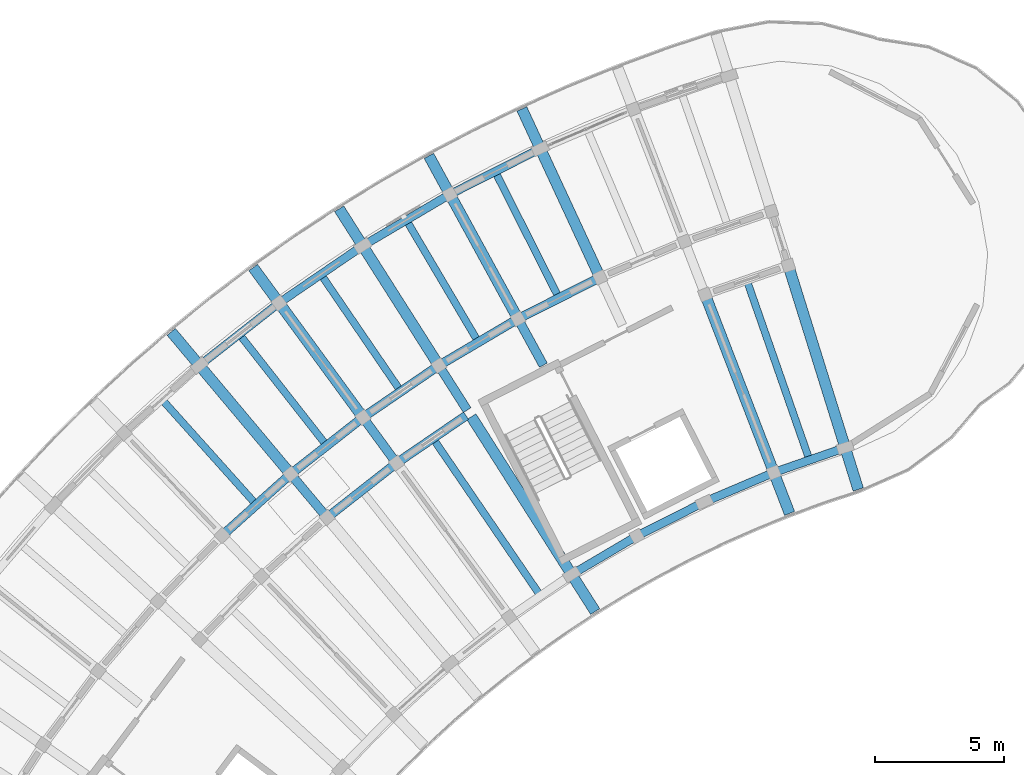
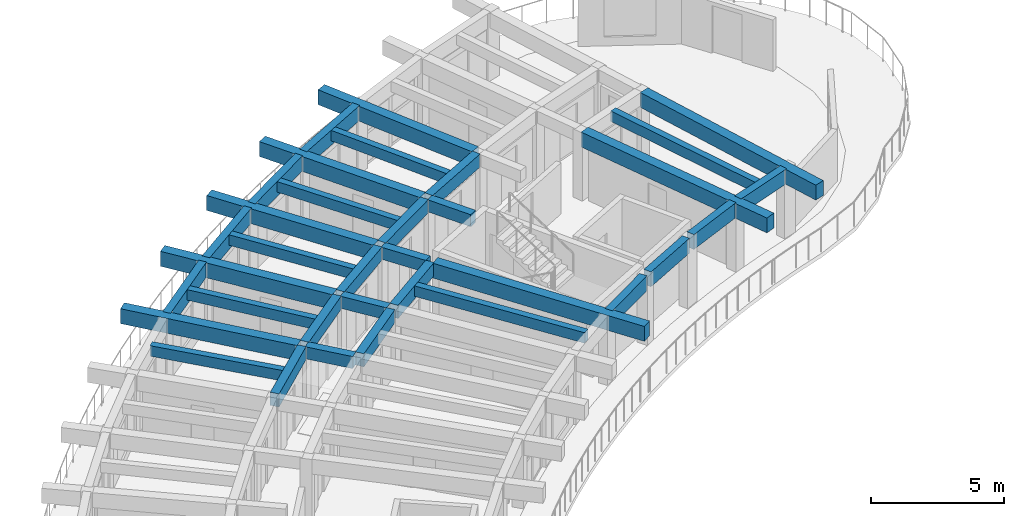
# One storey, part 5 of 19: 34 beams.
"""IFC4 building model written with IfcOpenShell, lengths in metres."""

from ifc_helpers import new_model, si_unit, direction, frame, origin, origin_2d, place, context, subcontext, project, spatial, rectangle, extrude, material, material_profile, profile_set, type_object, element, save


model = new_model("IFC4")

# Units and contexts
model_context = context("Model", 3, precision=1e-05, world=origin(), true_north=direction((0.0, 1.0)))
body_context = subcontext(model_context, "Body", "Model", "MODEL_VIEW")
ifc_project = project(units=[si_unit("LENGTHUNIT", "METRE"), si_unit("AREAUNIT", "SQUARE_METRE"), si_unit("VOLUMEUNIT", "CUBIC_METRE"), si_unit("PLANEANGLEUNIT", "RADIAN"), si_unit("MASSUNIT", "GRAM", prefix="KILO")], contexts=[model_context])

# Site, building, storey
site_placement = place(None, origin())
site = spatial("IfcSite", under=ifc_project, at=site_placement, CompositionType="ELEMENT")
building_placement = place(site_placement, origin())
building = spatial("IfcBuilding", under=site, at=building_placement, Name="Tanwirah Colonnade Gardens", CompositionType="ELEMENT")
storey_placement = place(building_placement, frame((0.0, 0.0, 45.800048828125)))
storey = spatial("IfcBuildingStorey", under=building, at=storey_placement, Name="L13", CompositionType="ELEMENT", Elevation=45.800048828125)

# Beams
ifc_material_1 = material(Name="Precast concrete C40/50", Category="concrete")
ifc_material_profile_1 = material_profile(ifc_material_1, rectangle(XDim=0.35009765625, YDim=0.550048828125, at=origin_2d()), Name="PC-BM 350x550")
ifc_profile_set_1 = profile_set([ifc_material_profile_1], Name="Precast concrete C40/50")
beam_type_1 = type_object("IfcBeamType", Name="BM-PC350A", PredefinedType="BEAM", material=ifc_profile_set_1)
for number, where, z_axis, x_axis, name in (
    (1, (40.054931640625, 105.826171875, 2.844970703125), (-0.479707235792, 0.877428611301, 0.0), (-0.877428611301, -0.479707235792, 0.0), "Block A L13 Corridor Tie Beam 6"),
    (2, (37.10302734375, 104.08349609375, 2.844970703125), (-0.536509579595, 0.843894229749, 0.0), (-0.843894229749, -0.536509579595, 0.0), "Block A L13 Corridor Tie Beam 7"),
):
    element("IfcBeam", number, at=place(storey_placement, frame(where, z_axis=z_axis, x_axis=x_axis)), inside=storey, type_object=beam_type_1, Name=name, PredefinedType="BEAM", context=body_context, shape_type="SweptSolid", body=[
        extrude(rectangle(XDim=0.35009765625, YDim=0.550048828125, at=origin_2d()), origin(), (0.0, 0.0, 1.0), 1.89990234375),
    ])
beam_1_placement = place(storey_placement, frame((34.272216796875, 102.14990234375, 2.844970703125), z_axis=(-0.590895676149, 0.806747977939, 0.0), x_axis=(-0.806747977939, -0.590895676149, 0.0)))
element("IfcBeam", 3, at=beam_1_placement, inside=storey, type_object=beam_type_1, Name="Block A L13 Corridor Tie Beam 8", PredefinedType="BEAM", context=body_context, shape_type="SweptSolid", body=[
    extrude(rectangle(XDim=0.35009765625, YDim=0.550048828125, at=origin_2d()), origin(), (0.0, 0.0, 1.0), 1.900146484375),
])
beam_2_placement = place(storey_placement, frame((31.574951171875, 100.034423828125, 2.844970703125), z_axis=(-0.642797194343, 0.766036400535, 0.0), x_axis=(-0.766036400535, -0.642797194343, 0.0)))
element("IfcBeam", 4, at=beam_2_placement, inside=storey, type_object=beam_type_1, Name="Block A L13 Corridor Tie Beam 9", PredefinedType="BEAM", context=body_context, shape_type="SweptSolid", body=[
    extrude(rectangle(XDim=0.35009765625, YDim=0.550048828125, at=origin_2d()), origin(), (0.0, 0.0, 1.0), 1.89990234375),
])
ifc_material_profile_2 = material_profile(ifc_material_1, rectangle(XDim=0.35009765625, YDim=0.60009765625, at=origin_2d()), Name="PC-BM 350x600")
ifc_profile_set_2 = profile_set([ifc_material_profile_2], Name="Precast concrete C40/50")
beam_type_2 = type_object("IfcBeamType", Name="BM-PC350B", PredefinedType="BEAM", material=ifc_profile_set_2)
for number, where, z_axis, x_axis, name in (
    (5, (42.11865234375, 109.16259765625, 2.820068359375), (-0.89276014323, -0.450532270387, 0.0), (0.450532270387, -0.89276014323, 0.0), "Block A L13 Circumferential Beam 5-R2"),
    (6, (38.9423828125, 107.548583984375, 2.820068359375), (-0.861134978964, -0.508376384193, 0.0), (0.508376384193, -0.861134978964, 0.0), "Block A L13 Circumferential Beam 6-R2"),
):
    element("IfcBeam", number, at=place(storey_placement, frame(where, z_axis=z_axis, x_axis=x_axis)), inside=storey, type_object=beam_type_2, Name=name, PredefinedType="BEAM", context=body_context, shape_type="SweptSolid", body=[
        extrude(rectangle(XDim=0.35009765625, YDim=0.60009765625, at=origin_2d()), origin(), (0.0, 0.0, 1.0), 3.26318359375),
    ])
beam_3_placement = place(storey_placement, frame((37.0595703125, 103.872314453125, 2.820068359375), z_axis=(-0.825758291455, -0.564024152047, 0.0), x_axis=(0.564024152047, -0.825758291455, 0.0)))
element("IfcBeam", 7, at=beam_3_placement, inside=storey, type_object=beam_type_2, Name="Block A L13 Circumferential Beam 7-R1", PredefinedType="BEAM", context=body_context, shape_type="SweptSolid", body=[
    extrude(rectangle(XDim=0.35009765625, YDim=0.60009765625, at=origin_2d()), origin(), (0.0, 0.0, 1.0), 3.118408203125),
])
beam_4_placement = place(storey_placement, frame((35.87939453125, 105.728759765625, 2.820068359375), z_axis=(-0.825782284145, -0.563989024, 0.0), x_axis=(0.563989024, -0.825782284145, 0.0)))
element("IfcBeam", 8, at=beam_4_placement, inside=storey, type_object=beam_type_2, Name="Block A L13 Circumferential Beam 7-R2", PredefinedType="BEAM", context=body_context, shape_type="SweptSolid", body=[
    extrude(rectangle(XDim=0.35009765625, YDim=0.60009765625, at=origin_2d()), origin(), (0.0, 0.0, 1.0), 3.26318359375),
])
beam_5_placement = place(storey_placement, frame((34.242919921875, 101.9365234375, 2.820068359375), z_axis=(-0.78679899272, -0.617209320292, 0.0), x_axis=(0.617209320292, -0.78679899272, 0.0)))
element("IfcBeam", 9, at=beam_5_placement, inside=storey, type_object=beam_type_2, Name="Block A L13 Circumferential Beam 8-R1", PredefinedType="BEAM", context=body_context, shape_type="SweptSolid", body=[
    extrude(rectangle(XDim=0.35009765625, YDim=0.60009765625, at=origin_2d()), origin(), (0.0, 0.0, 1.0), 3.1181640625),
])
for number, where, z_axis, x_axis, name in (
    (10, (32.94287109375, 103.711181640625, 2.820068359375), (-0.786839882256, -0.617157192044, 0.0), (0.617157192044, -0.786839882256, 0.0), "Block A L13 Circumferential Beam 8-R2"),
    (11, (30.145751953125, 101.504638671875, 2.820068359375), (-0.744409136578, -0.667723773262, 0.0), (0.667723773262, -0.744409136578, 0.0), "Block A L13 Circumferential Beam 9-R2"),
):
    element("IfcBeam", number, at=place(storey_placement, frame(where, z_axis=z_axis, x_axis=x_axis)), inside=storey, type_object=beam_type_2, Name=name, PredefinedType="BEAM", context=body_context, shape_type="SweptSolid", body=[
        extrude(rectangle(XDim=0.35009765625, YDim=0.60009765625, at=origin_2d()), origin(), (0.0, 0.0, 1.0), 3.26318359375),
    ])
ifc_material_2 = material(Name="Precast concrete C45/55", Category="concrete")
ifc_material_profile_3 = material_profile(ifc_material_2, rectangle(XDim=0.419921875, YDim=0.679931640625, at=origin_2d()), Name="PC-BM 420x680")
ifc_profile_set_3 = profile_set([ifc_material_profile_3], Name="Precast concrete C45/55")
beam_type_3 = type_object("IfcBeamType", Name="BM-PC420", PredefinedType="BEAM", material=ifc_profile_set_3)
beam_6_placement = place(storey_placement, frame((49.596923828125, 109.55224609375, 2.780029296875), z_axis=(0.29792861283, -0.9545881529, 0.0), x_axis=(0.9545881529, 0.29792861283, 0.0)))
element("IfcBeam", 12, at=beam_6_placement, inside=storey, type_object=beam_type_3, Name="Block A L13 Inner Radial Precast Girder 3", PredefinedType="BEAM", context=body_context, shape_type="SweptSolid", body=[
    extrude(rectangle(XDim=0.419921875, YDim=0.679931640625, at=origin_2d()), origin(), (0.0, 0.0, 1.0), 8.9501953125),
])
beam_7_placement = place(storey_placement, frame((46.37890625, 108.43017578125, 2.780029296875), z_axis=(0.360155980892, -0.932892099563, 0.0), x_axis=(0.932892099563, 0.360155980892, 0.0)))
element("IfcBeam", 13, at=beam_7_placement, inside=storey, type_object=beam_type_3, Name="Block A L13 Inner Radial Precast Girder 4", PredefinedType="BEAM", context=body_context, shape_type="SweptSolid", body=[
    extrude(rectangle(XDim=0.419921875, YDim=0.679931640625, at=origin_2d()), origin(), (0.0, 0.0, 1.0), 8.949951171875),
])
for number, where, z_axis, x_axis, name in (
    (14, (42.189453125, 109.3662109375, 2.780029296875), (-0.420855908645, 0.9071275016, 0.0), (-0.9071275016, -0.420855908645, 0.0), "Block A L13 Outer Radial Precast Girder 5"),
    (15, (38.99951171875, 107.75634765625, 2.780029296875), (-0.479686549155, 0.877439920769, 0.0), (-0.877439920769, -0.479686549155, 0.0), "Block A L13 Outer Radial Precast Girder 6"),
):
    element("IfcBeam", number, at=place(storey_placement, frame(where, z_axis=z_axis, x_axis=x_axis)), inside=storey, type_object=beam_type_3, Name=name, PredefinedType="BEAM", context=body_context, shape_type="SweptSolid", body=[
        extrude(rectangle(XDim=0.419921875, YDim=0.679931640625, at=origin_2d()), origin(), (0.0, 0.0, 1.0), 7.050048828125),
    ])
beam_8_placement = place(storey_placement, frame((37.263916015625, 103.830322265625, 2.780029296875), z_axis=(0.536483588607, -0.843910753075, 0.0), x_axis=(0.843910753075, 0.536483588607, 0.0)))
element("IfcBeam", 16, at=beam_8_placement, inside=storey, type_object=beam_type_3, Name="Block A L13 Inner Radial Precast Girder 7", PredefinedType="BEAM", context=body_context, shape_type="SweptSolid", body=[
    extrude(rectangle(XDim=0.419921875, YDim=0.679931640625, at=origin_2d()), origin(), (0.0, 0.0, 1.0), 8.949951171875),
])
for number, where, z_axis, x_axis, name in (
    (17, (35.922607421875, 105.93994140625, 2.780029296875), (-0.536476584537, 0.8439152056, 0.0), (-0.8439152056, -0.536476584537, 0.0), "Block A L13 Outer Radial Precast Girder 7"),
    (18, (32.97216796875, 103.9248046875, 2.780029296875), (-0.590919194225, 0.806730751798, 0.0), (-0.806730751798, -0.590919194225, 0.0), "Block A L13 Outer Radial Precast Girder 8"),
):
    element("IfcBeam", number, at=place(storey_placement, frame(where, z_axis=z_axis, x_axis=x_axis)), inside=storey, type_object=beam_type_3, Name=name, PredefinedType="BEAM", context=body_context, shape_type="SweptSolid", body=[
        extrude(rectangle(XDim=0.419921875, YDim=0.679931640625, at=origin_2d()), origin(), (0.0, 0.0, 1.0), 7.050048828125),
    ])
beam_9_placement = place(storey_placement, frame((30.160888671875, 101.7197265625, 2.780029296875), z_axis=(-0.642810291951, 0.766025409867, 0.0), x_axis=(-0.766025409867, -0.642810291951, 0.0)))
element("IfcBeam", 19, at=beam_9_placement, inside=storey, type_object=beam_type_3, Name="Block A L13 Outer Radial Precast Girder 9", PredefinedType="BEAM", context=body_context, shape_type="SweptSolid", body=[
    extrude(rectangle(XDim=0.419921875, YDim=0.679931640625, at=origin_2d()), origin(), (0.0, 0.0, 1.0), 7.0498046875),
])
ifc_material_profile_4 = material_profile(ifc_material_1, rectangle(XDim=0.280029296875, YDim=0.47998046875, at=origin_2d()), Name="PC-JST 280x480")
ifc_profile_set_4 = profile_set([ifc_material_profile_4], Name="Precast concrete C40/50")
beam_type_4 = type_object("IfcBeamType", Name="JST-PC280", PredefinedType="JOIST", material=ifc_profile_set_4)
beam_10_placement = place(storey_placement, frame((50.326171875, 102.28515625, 2.8798828125), z_axis=(-0.329250558112, 0.944242590642, 0.0), x_axis=(-0.944242590642, -0.329250558112, 0.0)))
element("IfcBeam", 20, at=beam_10_placement, inside=storey, type_object=beam_type_4, Name="Block A L13 Inner Precast Floor Joist 3", PredefinedType="JOIST", context=body_context, shape_type="SweptSolid", body=[
    extrude(rectangle(XDim=0.280029296875, YDim=0.47998046875, at=origin_2d()), origin(), (0.0, 0.0, 1.0), 7.159912109375),
])
for number, where, z_axis, x_axis, name in (
    (21, (40.5947265625, 108.560791015625, 2.8798828125), (-0.450533699488, 0.892759422031, 0.0), (-0.892759422031, -0.450533699488, 0.0), "Block A L13 Precast Floor Joist 5"),
    (22, (37.46142578125, 106.84765625, 2.8798828125), (-0.508360236823, 0.86114451146, 0.0), (-0.86114451146, -0.508360236823, 0.0), "Block A L13 Precast Floor Joist 6"),
):
    element("IfcBeam", number, at=place(storey_placement, frame(where, z_axis=z_axis, x_axis=x_axis)), inside=storey, type_object=beam_type_4, Name=name, PredefinedType="JOIST", context=body_context, shape_type="SweptSolid", body=[
        extrude(rectangle(XDim=0.280029296875, YDim=0.47998046875, at=origin_2d()), origin(), (0.0, 0.0, 1.0), 5.26025390625),
    ])
beam_11_placement = place(storey_placement, frame((34.44775390625, 104.931884765625, 2.8798828125), z_axis=(-0.563973225998, 0.825793073571, 0.0), x_axis=(-0.825793073571, -0.563973225998, 0.0)))
element("IfcBeam", 23, at=beam_11_placement, inside=storey, type_object=beam_type_4, Name="Block A L13 Precast Floor Joist 7", PredefinedType="JOIST", context=body_context, shape_type="SweptSolid", body=[
    extrude(rectangle(XDim=0.280029296875, YDim=0.47998046875, at=origin_2d()), origin(), (0.0, 0.0, 1.0), 5.260009765625),
])
beam_12_placement = place(storey_placement, frame((39.8623046875, 97.004638671875, 2.8798828125), z_axis=(-0.564021195806, 0.825760310672, 0.0), x_axis=(-0.825760310672, -0.564021195806, 0.0)))
element("IfcBeam", 24, at=beam_12_placement, inside=storey, type_object=beam_type_4, Name="Block A L13 Inner Precast Floor Joist 7", PredefinedType="JOIST", context=body_context, shape_type="SweptSolid", body=[
    extrude(rectangle(XDim=0.280029296875, YDim=0.47998046875, at=origin_2d()), origin(), (0.0, 0.0, 1.0), 7.159912109375),
])
for number, where, z_axis, x_axis, name in (
    (25, (31.56689453125, 102.82177734375, 2.8798828125), (-0.617177687243, 0.786823806433, 0.0), (-0.786823806433, -0.617177687243, 0.0), "Block A L13 Precast Floor Joist 8"),
    (26, (28.831298828125, 100.5263671875, 2.8798828125), (-0.667678987176, 0.744449306591, 0.0), (-0.744449306591, -0.667678987176, 0.0), "Block A L13 Precast Floor Joist 9"),
):
    element("IfcBeam", number, at=place(storey_placement, frame(where, z_axis=z_axis, x_axis=x_axis)), inside=storey, type_object=beam_type_4, Name=name, PredefinedType="JOIST", context=body_context, shape_type="SweptSolid", body=[
        extrude(rectangle(XDim=0.280029296875, YDim=0.47998046875, at=origin_2d()), origin(), (0.0, 0.0, 1.0), 5.260009765625),
    ])
ifc_material_profile_5 = material_profile(ifc_material_2, rectangle(XDim=0.320068359375, YDim=0.679931640625, at=origin_2d()), Name="PC-SP 320x680")
ifc_profile_set_5 = profile_set([ifc_material_profile_5], Name="Precast concrete C45/55")
beam_type_5 = type_object("IfcBeamType", Name="SP-PC320", PredefinedType="SPANDREL", material=ifc_profile_set_5)
for number, where, z_axis, x_axis, name in (
    (27, (51.615478515625, 102.58203125, 2.780029296875), (-0.944249847334, -0.32922974624, 0.0), (0.32922974624, -0.944249847334, 0.0), "Block A L13 Circumferential Beam 3-R0"),
    (28, (48.85205078125, 101.608154296875, 2.780029296875), (-0.920488719784, -0.390769134848, 0.0), (0.390769134848, -0.920488719784, 0.0), "Block A L13 Circumferential Beam 4-R0"),
    (29, (46.158935546875, 100.4541015625, 2.780029296875), (-0.892769015158, -0.450514689632, 0.0), (0.450514689632, -0.892769015158, 0.0), "Block A L13 Circumferential Beam 5-R0"),
):
    element("IfcBeam", number, at=place(storey_placement, frame(where, z_axis=z_axis, x_axis=x_axis)), inside=storey, type_object=beam_type_5, Name=name, PredefinedType="SPANDREL", context=body_context, shape_type="SweptSolid", body=[
        extrude(rectangle(XDim=0.320068359375, YDim=0.679931640625, at=origin_2d()), origin(), (0.0, 0.0, 1.0), 2.63037109375),
    ])
beam_13_placement = place(storey_placement, frame((39.803955078125, 114.15185546875, 2.780029296875), z_axis=(-0.892764670911, -0.450523298368, 0.0), x_axis=(0.450523298368, -0.892764670911, 0.0)))
element("IfcBeam", 30, at=beam_13_placement, inside=storey, type_object=beam_type_5, Name="Block A L13 Circumferential Beam 5-R3", PredefinedType="SPANDREL", context=body_context, shape_type="SweptSolid", body=[
    extrude(rectangle(XDim=0.320068359375, YDim=0.679931640625, at=origin_2d()), origin(), (0.0, 0.0, 1.0), 3.6259765625),
])
beam_14_placement = place(storey_placement, frame((43.547607421875, 99.125244140625, 2.780029296875), z_axis=(-0.861148181788, -0.508354019363, 0.0), x_axis=(0.508354019363, -0.861148181788, 0.0)))
element("IfcBeam", 31, at=beam_14_placement, inside=storey, type_object=beam_type_5, Name="Block A L13 Circumferential Beam 6-R0", PredefinedType="SPANDREL", context=body_context, shape_type="SweptSolid", body=[
    extrude(rectangle(XDim=0.320068359375, YDim=0.679931640625, at=origin_2d()), origin(), (0.0, 0.0, 1.0), 2.63037109375),
])
for number, where, z_axis, x_axis, name in (
    (32, (36.303955078125, 112.37451171875, 2.780029296875), (-0.861136912545, -0.5083731089, 0.0), (0.5083731089, -0.861136912545, 0.0), "Block A L13 Circumferential Beam 6-R3"),
    (33, (32.9287109375, 110.370361328125, 2.780029296875), (-0.825782625102, -0.563988524776, 0.0), (0.563988524776, -0.825782625102, 0.0), "Block A L13 Circumferential Beam 7-R3"),
):
    element("IfcBeam", number, at=place(storey_placement, frame(where, z_axis=z_axis, x_axis=x_axis)), inside=storey, type_object=beam_type_5, Name=name, PredefinedType="SPANDREL", context=body_context, shape_type="SweptSolid", body=[
        extrude(rectangle(XDim=0.320068359375, YDim=0.679931640625, at=origin_2d()), origin(), (0.0, 0.0, 1.0), 3.625732421875),
    ])
beam_15_placement = place(storey_placement, frame((29.69287109375, 108.148193359375, 2.780029296875), z_axis=(-0.786843799845, -0.617152197311, 0.0), x_axis=(0.617152197311, -0.786843799845, 0.0)))
element("IfcBeam", 34, at=beam_15_placement, inside=storey, type_object=beam_type_5, Name="Block A L13 Circumferential Beam 8-R3", PredefinedType="SPANDREL", context=body_context, shape_type="SweptSolid", body=[
    extrude(rectangle(XDim=0.320068359375, YDim=0.679931640625, at=origin_2d()), origin(), (0.0, 0.0, 1.0), 3.62548828125),
])

save(model, "model.ifc")
